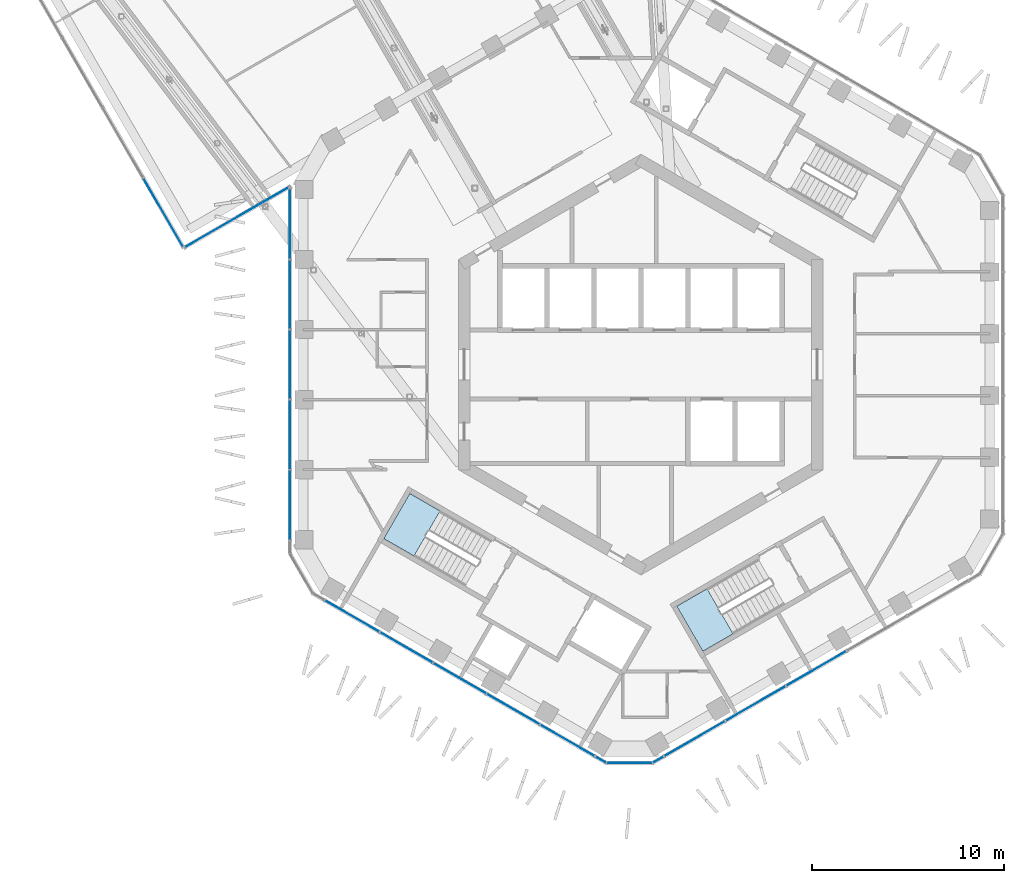
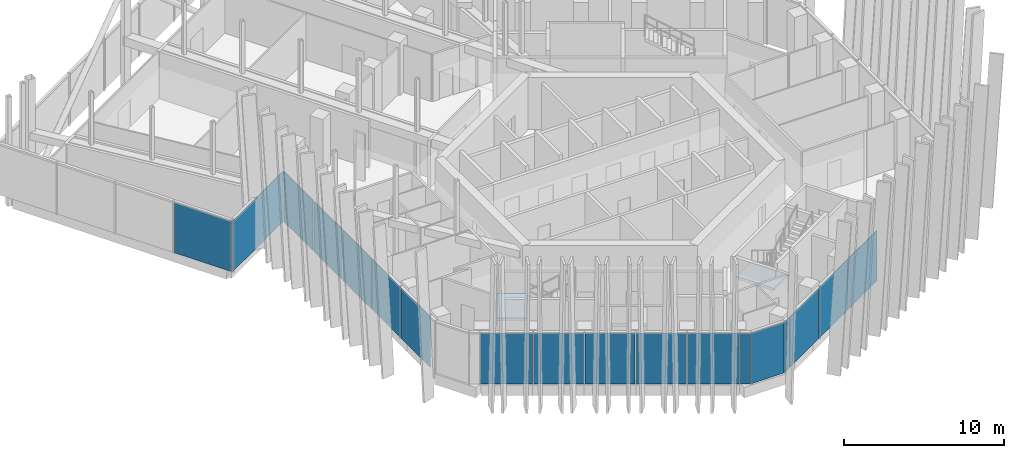
# One storey, part 12 of 29: 18 plates, 2 slabs, 8 elements without a shape of their own.
"""IFC4 building model written with IfcOpenShell, lengths in metres."""

from ifc_helpers import new_model, si_unit, direction, frame, origin, origin_2d, place, context, subcontext, project, spatial, polyline, rectangle, outline, extrude, material, layer, layer_set, type_object, element, aggregate, save


model = new_model("IFC4")

# Units and contexts
model_context = context("Model", 3, precision=1e-05, world=origin(), true_north=direction((0.0, 1.0)))
body_context = subcontext(model_context, "Body", "Model", "MODEL_VIEW")
ifc_project = project(units=[si_unit("LENGTHUNIT", "METRE"), si_unit("AREAUNIT", "SQUARE_METRE"), si_unit("VOLUMEUNIT", "CUBIC_METRE"), si_unit("PLANEANGLEUNIT", "RADIAN"), si_unit("MASSUNIT", "GRAM", prefix="KILO")], contexts=[model_context])

# Site, building, storey
site_placement = place(None, origin())
site = spatial("IfcSite", under=ifc_project, at=site_placement, CompositionType="ELEMENT")
building_placement = place(site_placement, origin())
building = spatial("IfcBuilding", under=site, at=building_placement, Name="Ayvan Gate Tower", CompositionType="ELEMENT")
storey_placement = place(building_placement, frame((0.0, 0.0, 186.699951171875)))
storey = spatial("IfcBuildingStorey", under=building, at=storey_placement, Name="L50", CompositionType="ELEMENT", Elevation=186.699951171875)

# Stair, slab
ifc_material_1 = material(Name="Concrete C40/50", Category="concrete")
stair_type = type_object("IfcStairType", Name="ST-EXIT", PredefinedType="HALF_TURN_STAIR", material=ifc_material_1)
stair_1_placement = place(storey_placement, origin())
stair_1 = element("IfcStair", 1, at=stair_1_placement, inside=storey, type_object=stair_type, Name="L50 Exit Stair S2", PredefinedType="HALF_TURN_STAIR")
ifc_layer_1 = layer(ifc_material_1, 0.199951171875)
ifc_layer_set_1 = layer_set([ifc_layer_1], Name="Concrete C40/50")
slab_type = type_object("IfcSlabType", Name="SL-LANDING-200", PredefinedType="LANDING", material=ifc_layer_set_1)
slab_1_placement = place(storey_placement, frame((0.0, 0.0, 1.800048828125)))
slab_1 = element("IfcSlab", 2, at=slab_1_placement, type_object=slab_type, Name="STS2 landing 1", PredefinedType="LANDING", context=body_context, shape_type="SweptSolid", body=[
    extrude(outline(polyline([(-10.473388671875, -7.630615234375), (-12.049560546875, -6.720458984375), (-13.404541015625, -9.0673828125), (-11.828369140625, -9.9775390625), (-10.473388671875, -7.630615234375)])), origin(), (0.0, 0.0, 1.0), 0.199951171875),
])
aggregate(stair_1, [slab_1])

stair_2_placement = place(storey_placement, origin())
stair_2 = element("IfcStair", 3, at=stair_2_placement, inside=storey, type_object=stair_type, Name="L50 Exit Stair S3", PredefinedType="HALF_TURN_STAIR")
slab_2_placement = place(storey_placement, frame((0.0, 0.0, 1.800048828125)))
slab_2 = element("IfcSlab", 4, at=slab_2_placement, type_object=slab_type, Name="STS3 landing 1", PredefinedType="LANDING", context=body_context, shape_type="SweptSolid", body=[
    extrude(outline(polyline([(3.449951171875, -11.685546875), (1.873779296875, -12.595458984375), (3.228759765625, -14.9423828125), (4.804931640625, -14.032470703125), (3.449951171875, -11.685546875)])), origin(), (0.0, 0.0, 1.0), 0.199951171875),
])
aggregate(stair_2, [slab_2])

# Curtain wall, plates
ifc_material_2 = material(Name="Bronze anodised aluminium", Category="aluminium")
ifc_layer_2 = layer(ifc_material_2, 0.199951171875)
ifc_layer_set_2 = layer_set([ifc_layer_2], Name="Bronze anodised aluminium")
curtain_wall_type_1 = type_object("IfcCurtainWallType", Name="Stick curtain wall CW-2", PredefinedType="NOTDEFINED", material=ifc_layer_set_2)
curtain_wall_1_placement = place(storey_placement, origin())
curtain_wall_1 = element("IfcCurtainWall", 5, at=curtain_wall_1_placement, inside=storey, type_object=curtain_wall_type_1, Name="Stick curtain wall CW-2 L50", PredefinedType="NOTDEFINED")
ifc_material_3 = material(Name="Clear low-iron laminated glass", Category="glass")
ifc_layer_3 = layer(ifc_material_3, 0.028076171875)
ifc_layer_set_3 = layer_set([ifc_layer_3], Name="Clear low-iron laminated glass")
plate_type_1 = type_object("IfcPlateType", Name="Stick curtain wall CW-2 glass panel", PredefinedType="CURTAIN_PANEL", material=ifc_layer_set_3)
plate_1_placement = place(storey_placement, frame((-18.29296875, 3.65234375, 0.0), z_axis=(0.0, 0.0, 1.0), x_axis=(0.0, -1.0, 0.0)))
plate_1 = element("IfcPlate", 6, at=plate_1_placement, type_object=plate_type_1, Name="CW-2 glass panel 2", PredefinedType="CURTAIN_PANEL", context=body_context, shape_type="SweptSolid", body=[
    extrude(rectangle(XDim=3.5830078125, YDim=0.028076171875, at=origin_2d()), origin(), (0.0, 0.0, 1.0), 3.8798828125),
])
plate_2_placement = place(storey_placement, frame((-18.29296875, -0.000244140625, 0.0), z_axis=(0.0, 0.0, 1.0), x_axis=(0.0, -1.0, 0.0)))
plate_2 = element("IfcPlate", 7, at=plate_2_placement, type_object=plate_type_1, Name="CW-2 glass panel 3", PredefinedType="CURTAIN_PANEL", context=body_context, shape_type="SweptSolid", body=[
    extrude(rectangle(XDim=3.58203125, YDim=0.028076171875, at=origin_2d()), origin(), (0.0, 0.0, 1.0), 3.8798828125),
])
plate_3_placement = place(storey_placement, frame((-18.29296875, -3.65234375, 0.0), z_axis=(0.0, 0.0, 1.0), x_axis=(0.0, -1.0, 0.0)))
plate_3 = element("IfcPlate", 8, at=plate_3_placement, type_object=plate_type_1, Name="CW-2 glass panel 4", PredefinedType="CURTAIN_PANEL", context=body_context, shape_type="SweptSolid", body=[
    extrude(rectangle(XDim=3.58203125, YDim=0.028076171875, at=origin_2d()), origin(), (0.0, 0.0, 1.0), 3.8798828125),
])
plate_4_placement = place(storey_placement, frame((-18.29296875, -7.340576171875, 0.0), z_axis=(0.0, 0.0, 1.0), x_axis=(0.0, -1.0, 0.0)))
plate_4 = element("IfcPlate", 9, at=plate_4_placement, type_object=plate_type_1, Name="CW-2 glass panel 5", PredefinedType="CURTAIN_PANEL", context=body_context, shape_type="SweptSolid", body=[
    extrude(rectangle(XDim=3.654541015625, YDim=0.028076171875, at=origin_2d()), origin(), (0.0, 0.0, 1.0), 3.8798828125),
])

curtain_wall_2_placement = place(storey_placement, origin())
curtain_wall_2 = element("IfcCurtainWall", 10, at=curtain_wall_2_placement, inside=storey, type_object=curtain_wall_type_1, Name="Stick curtain wall CW-2 L50", PredefinedType="NOTDEFINED")
plate_5_placement = place(storey_placement, frame((-15.07275390625, -13.10595703125, 0.0), z_axis=(0.0, 0.0, 1.0), x_axis=(0.866025403784, -0.5, 0.0)))
plate_5 = element("IfcPlate", 11, at=plate_5_placement, type_object=plate_type_1, Name="CW-2 glass panel 1", PredefinedType="CURTAIN_PANEL", context=body_context, shape_type="SweptSolid", body=[
    extrude(rectangle(XDim=3.279052734375, YDim=0.028076171875, at=origin_2d()), origin(), (0.0, 0.0, 1.0), 3.8798828125),
])
plate_6_placement = place(storey_placement, frame((-12.2294921875, -14.74755859375, 0.0), z_axis=(0.0, 0.0, 1.0), x_axis=(0.866025403784, -0.5, 0.0)))
plate_6 = element("IfcPlate", 12, at=plate_6_placement, type_object=plate_type_1, Name="CW-2 glass panel 2", PredefinedType="CURTAIN_PANEL", context=body_context, shape_type="SweptSolid", body=[
    extrude(rectangle(XDim=3.14697265625, YDim=0.028076171875, at=origin_2d()), origin(), (0.0, 0.0, 1.0), 3.8798828125),
])
plate_7_placement = place(storey_placement, frame((-9.443603515625, -16.35595703125, 0.0), z_axis=(0.0, 0.0, 1.0), x_axis=(0.866025403784, -0.5, 0.0)))
plate_7 = element("IfcPlate", 13, at=plate_7_placement, type_object=plate_type_1, Name="CW-2 glass panel 3", PredefinedType="CURTAIN_PANEL", context=body_context, shape_type="SweptSolid", body=[
    extrude(rectangle(XDim=3.14697265625, YDim=0.028076171875, at=origin_2d()), origin(), (0.0, 0.0, 1.0), 3.8798828125),
])
plate_8_placement = place(storey_placement, frame((-6.657470703125, -17.964599609375, 0.0), z_axis=(0.0, 0.0, 1.0), x_axis=(0.866025403784, -0.5, 0.0)))
plate_8 = element("IfcPlate", 14, at=plate_8_placement, type_object=plate_type_1, Name="CW-2 glass panel 4", PredefinedType="CURTAIN_PANEL", context=body_context, shape_type="SweptSolid", body=[
    extrude(rectangle(XDim=3.14697265625, YDim=0.028076171875, at=origin_2d()), origin(), (0.0, 0.0, 1.0), 3.8798828125),
])
plate_9_placement = place(storey_placement, frame((-3.814208984375, -19.606201171875, 0.0), z_axis=(0.0, 0.0, 1.0), x_axis=(0.866025403784, -0.5, 0.0)))
plate_9 = element("IfcPlate", 15, at=plate_9_placement, type_object=plate_type_1, Name="CW-2 glass panel 5", PredefinedType="CURTAIN_PANEL", context=body_context, shape_type="SweptSolid", body=[
    extrude(rectangle(XDim=3.279541015625, YDim=0.028076171875, at=origin_2d()), origin(), (0.0, 0.0, 1.0), 3.8798828125),
])
aggregate(curtain_wall_2, [plate_5, plate_6, plate_7, plate_8, plate_9])

curtain_wall_3_placement = place(storey_placement, origin())
curtain_wall_3 = element("IfcCurtainWall", 16, at=curtain_wall_3_placement, inside=storey, type_object=curtain_wall_type_1, Name="Stick curtain wall CW-2 L50", PredefinedType="NOTDEFINED")
plate_10_placement = place(storey_placement, frame((2.789306640625, -19.5126953125, 0.0), z_axis=(0.0, 0.0, 1.0), x_axis=(0.866025403784, 0.5, 0.0)))
plate_10 = element("IfcPlate", 17, at=plate_10_placement, type_object=plate_type_1, Name="CW-2 glass panel 1", PredefinedType="CURTAIN_PANEL", context=body_context, shape_type="SweptSolid", body=[
    extrude(rectangle(XDim=3.654052734375, YDim=0.028076171875, at=origin_2d()), origin(), (0.0, 0.0, 1.0), 3.8798828125),
])
plate_11_placement = place(storey_placement, frame((5.983642578125, -17.66845703125, 0.0), z_axis=(0.0, 0.0, 1.0), x_axis=(0.866025403784, 0.5, 0.0)))
plate_11 = element("IfcPlate", 18, at=plate_11_placement, type_object=plate_type_1, Name="CW-2 glass panel 2", PredefinedType="CURTAIN_PANEL", context=body_context, shape_type="SweptSolid", body=[
    extrude(rectangle(XDim=3.5830078125, YDim=0.028076171875, at=origin_2d()), origin(), (0.0, 0.0, 1.0), 3.8798828125),
])
plate_12_placement = place(storey_placement, frame((9.146728515625, -15.842041015625, 0.0), z_axis=(0.0, 0.0, 1.0), x_axis=(0.866025403784, 0.5, 0.0)))
plate_12 = element("IfcPlate", 19, at=plate_12_placement, type_object=plate_type_1, Name="CW-2 glass panel 3", PredefinedType="CURTAIN_PANEL", context=body_context, shape_type="SweptSolid", body=[
    extrude(rectangle(XDim=3.58203125, YDim=0.028076171875, at=origin_2d()), origin(), (0.0, 0.0, 1.0), 3.8798828125),
])
aggregate(curtain_wall_3, [plate_10, plate_11, plate_12])

# Plate
ifc_material_4 = material(Name="Pale anodised aluminium composite panel", Category="aluminium")
ifc_layer_4 = layer(ifc_material_4, 0.028076171875)
ifc_layer_set_4 = layer_set([ifc_layer_4], Name="Pale anodised aluminium composite panel")
plate_type_2 = type_object("IfcPlateType", Name="Stick curtain wall CW-2 solid panel", PredefinedType="CURTAIN_PANEL", material=ifc_layer_set_4)
plate_13_placement = place(storey_placement, frame((-18.29296875, 7.3408203125, 0.0), z_axis=(0.0, 0.0, 1.0), x_axis=(0.0, -1.0, 0.0)))
plate_13 = element("IfcPlate", 20, at=plate_13_placement, type_object=plate_type_2, Name="CW-2 solid panel 1", PredefinedType="CURTAIN_PANEL", context=body_context, shape_type="SweptSolid", body=[
    extrude(rectangle(XDim=3.654052734375, YDim=0.028076171875, at=origin_2d()), origin(), (0.0, 0.0, 1.0), 3.8798828125),
])

aggregate(curtain_wall_1, [plate_13, plate_1, plate_2, plate_3, plate_4])

# Curtain wall, plate
ifc_layer_5 = layer(ifc_material_2, 0.199951171875)
ifc_layer_set_5 = layer_set([ifc_layer_5], Name="Bronze anodised aluminium")
curtain_wall_type_2 = type_object("IfcCurtainWallType", Name="Stick curtain wall CW-4", PredefinedType="NOTDEFINED", material=ifc_layer_set_5)
curtain_wall_4_placement = place(storey_placement, origin())
curtain_wall_4 = element("IfcCurtainWall", 21, at=curtain_wall_4_placement, inside=storey, type_object=curtain_wall_type_2, Name="Stick curtain wall CW-4 L50", PredefinedType="NOTDEFINED")
ifc_layer_6 = layer(ifc_material_3, 0.028076171875)
ifc_layer_set_6 = layer_set([ifc_layer_6], Name="Clear low-iron laminated glass")
plate_type_3 = type_object("IfcPlateType", Name="Stick curtain wall CW-4 glass panel", PredefinedType="CURTAIN_PANEL", material=ifc_layer_set_6)
plate_14_placement = place(storey_placement, frame((-24.8916015625, 7.91357421875, 0.0), z_axis=(0.0, 0.0, 1.0), x_axis=(0.5, -0.866025403784, 0.0)))
plate_14 = element("IfcPlate", 22, at=plate_14_placement, type_object=plate_type_3, Name="CW-4 glass panel 4", PredefinedType="CURTAIN_PANEL", context=body_context, shape_type="SweptSolid", body=[
    extrude(rectangle(XDim=4.14501953125, YDim=0.028076171875, at=origin_2d()), origin(), (0.0, 0.0, 1.0), 3.860107421875),
])
aggregate(curtain_wall_4, [plate_14])

curtain_wall_5_placement = place(storey_placement, origin())
curtain_wall_5 = element("IfcCurtainWall", 23, at=curtain_wall_5_placement, inside=storey, type_object=curtain_wall_type_2, Name="Stick curtain wall CW-4 L50", PredefinedType="NOTDEFINED")
ifc_layer_7 = layer(ifc_material_4, 0.028076171875)
ifc_layer_set_7 = layer_set([ifc_layer_7], Name="Pale anodised aluminium composite panel")
plate_type_4 = type_object("IfcPlateType", Name="Stick curtain wall CW-4 solid panel", PredefinedType="CURTAIN_PANEL", material=ifc_layer_set_7)
plate_15_placement = place(storey_placement, frame((-21.05126953125, 7.69140625, 0.0), z_axis=(0.0, 0.0, 1.0), x_axis=(0.866025403784, 0.5, 0.0)))
plate_15 = element("IfcPlate", 24, at=plate_15_placement, type_object=plate_type_4, Name="CW-4 solid panel 1", PredefinedType="CURTAIN_PANEL", context=body_context, shape_type="SweptSolid", body=[
    extrude(rectangle(XDim=6.349365234375, YDim=0.028076171875, at=origin_2d()), origin(), (0.0, 0.0, 1.0), 3.860107421875),
])
aggregate(curtain_wall_5, [plate_15])

# Curtain wall, plates
ifc_layer_8 = layer(ifc_material_2, 0.199951171875)
ifc_layer_set_8 = layer_set([ifc_layer_8], Name="Bronze anodised aluminium")
curtain_wall_type_3 = type_object("IfcCurtainWallType", Name="Stick curtain wall CW-6", PredefinedType="NOTDEFINED", material=ifc_layer_set_8)
curtain_wall_6_placement = place(storey_placement, origin())
curtain_wall_6 = element("IfcCurtainWall", 25, at=curtain_wall_6_placement, inside=storey, type_object=curtain_wall_type_3, Name="Stick curtain wall CW-6 L50", PredefinedType="NOTDEFINED")
ifc_layer_9 = layer(ifc_material_3, 0.028076171875)
ifc_layer_set_9 = layer_set([ifc_layer_9], Name="Clear low-iron laminated glass")
plate_type_5 = type_object("IfcPlateType", Name="Stick curtain wall CW-6 glass panel", PredefinedType="CURTAIN_PANEL", material=ifc_layer_set_9)
plate_16_placement = place(storey_placement, frame((-2.093017578125, -20.599853515625, 0.0), z_axis=(0.0, 0.0, 1.0), x_axis=(0.866025403784, -0.5, 0.0)))
plate_16 = element("IfcPlate", 26, at=plate_16_placement, type_object=plate_type_5, Name="CW-6 glass panel 1", PredefinedType="CURTAIN_PANEL", context=body_context, shape_type="SweptSolid", body=[
    extrude(rectangle(XDim=0.625, YDim=0.028076171875, at=origin_2d()), origin(), (0.0, 0.0, 1.0), 3.8798828125),
])
plate_17_placement = place(storey_placement, frame((-0.593505859375, -20.7685546875, 0.0), z_axis=(0.0, 0.0, 1.0), x_axis=(1.0, 0.0, 0.0)))
plate_17 = element("IfcPlate", 27, at=plate_17_placement, type_object=plate_type_5, Name="CW-6 glass panel 2", PredefinedType="CURTAIN_PANEL", context=body_context, shape_type="SweptSolid", body=[
    extrude(rectangle(XDim=2.364501953125, YDim=0.028076171875, at=origin_2d()), origin(), (0.0, 0.0, 1.0), 3.8798828125),
])
plate_18_placement = place(storey_placement, frame((0.906005859375, -20.599853515625, 0.0), z_axis=(0.0, 0.0, 1.0), x_axis=(0.866025403784, 0.5, 0.0)))
plate_18 = element("IfcPlate", 28, at=plate_18_placement, type_object=plate_type_5, Name="CW-6 glass panel 3", PredefinedType="CURTAIN_PANEL", context=body_context, shape_type="SweptSolid", body=[
    extrude(rectangle(XDim=0.625, YDim=0.028076171875, at=origin_2d()), origin(), (0.0, 0.0, 1.0), 3.8798828125),
])
aggregate(curtain_wall_6, [plate_16, plate_17, plate_18])

save(model, "model.ifc")
